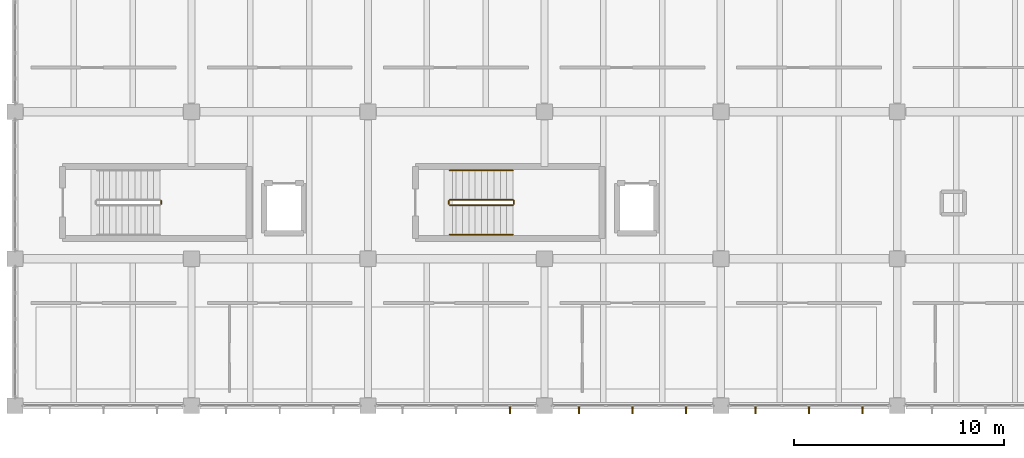
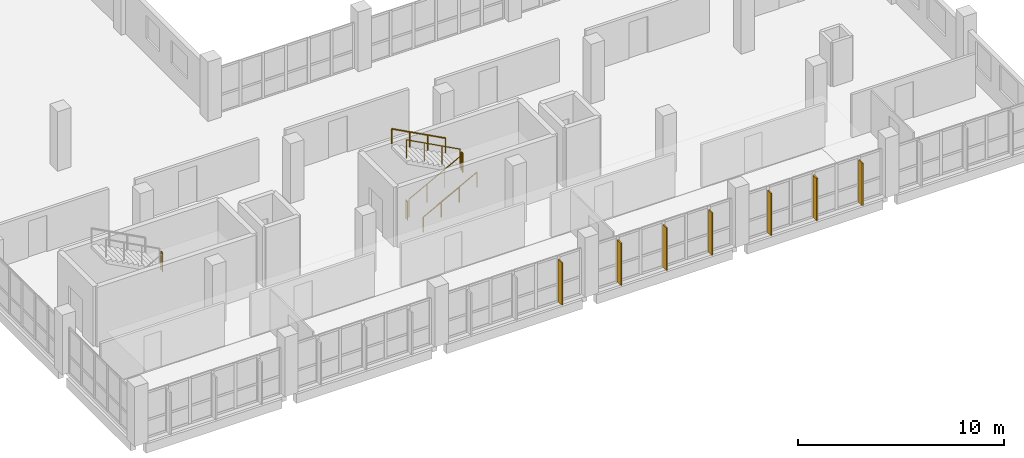
# One storey, part 88 of 95: 7 railings, 7 shading devices.
"""IFC4 building model written with IfcOpenShell, lengths in metres."""

from ifc_helpers import new_model, si_unit, direction, frame, origin, origin_2d, place, context, subcontext, project, spatial, rectangle, circle, extrude, material, type_object, element, save


model = new_model("IFC4")

# Units and contexts
model_context = context("Model", 3, precision=1e-05, world=origin(), true_north=direction((0.0, 1.0)))
body_context = subcontext(model_context, "Body", "Model", "MODEL_VIEW")
ifc_project = project(units=[si_unit("LENGTHUNIT", "METRE"), si_unit("AREAUNIT", "SQUARE_METRE"), si_unit("VOLUMEUNIT", "CUBIC_METRE"), si_unit("PLANEANGLEUNIT", "RADIAN"), si_unit("MASSUNIT", "GRAM", prefix="KILO"), si_unit("THERMODYNAMICTEMPERATUREUNIT", "KELVIN"), si_unit("POWERUNIT", "WATT")], contexts=[model_context])

# Site, building, storey
site_placement = place(None, origin())
site = spatial("IfcSite", under=ifc_project, at=site_placement, CompositionType="ELEMENT")
building_placement = place(site_placement, origin())
building = spatial("IfcBuilding", under=site, at=building_placement, Name="Mavoryth Pier Ferry Terminal", CompositionType="ELEMENT")
storey_placement = place(building_placement, frame((0.0, 0.0, 9.60009765625)))
storey = spatial("IfcBuildingStorey", under=building, at=storey_placement, Name="L02", CompositionType="ELEMENT", Elevation=9.60009765625)

# Shading devices
ifc_material_1 = material(Name="Anodised Aluminium Solar-Shading Fin", Category="aluminium")
shading_device_type = type_object("IfcShadingDeviceType", Name="Fin-BriseSoleil-350x70x2500", PredefinedType="SHUTTER", material=ifc_material_1)
for number, where, z_axis, x_axis, name in (
    (1, (65.550048828125, -0.198974609375, 0.0), (0.0, 0.0, 1.0), (1.0, 0.0, 0.0), "Solar Shading Fin 108"),
    (2, (68.85009765625, -0.198974609375, 0.0), (0.0, 0.0, 1.0), (1.0, 0.0, 0.0), "Solar Shading Fin 109"),
    (3, (71.39990234375, -0.198974609375, 0.0), (0.0, 0.0, 1.0), (1.0, 0.0, 0.0), "Solar Shading Fin 110"),
    (4, (73.949951171875, -0.198974609375, 0.0), (0.0, 0.0, 1.0), (1.0, 0.0, 0.0), "Solar Shading Fin 111"),
    (5, (77.25, -0.198974609375, 0.0), (0.0, 0.0, 1.0), (1.0, 0.0, 0.0), "Solar Shading Fin 112"),
    (6, (79.800048828125, -0.198974609375, 0.0), (0.0, 0.0, 1.0), (1.0, 0.0, 0.0), "Solar Shading Fin 113"),
    (7, (82.35009765625, -0.198974609375, 0.0), (0.0, 0.0, 1.0), (1.0, 0.0, 0.0), "Solar Shading Fin 114"),
):
    element("IfcShadingDevice", number, at=place(storey_placement, frame(where, z_axis=z_axis, x_axis=x_axis)), inside=storey, type_object=shading_device_type, Name=name, PredefinedType="SHUTTER", context=body_context, shape_type="SweptSolid", body=[
        extrude(rectangle(XDim=0.070068359375, YDim=0.35009765625, at=origin_2d()), origin(), (0.0, 0.0, 1.0), 2.5),
    ])

# Railings
ifc_material_2 = material(Name="Painted Galvanised Steel Balustrade", Category="steel")
railing_type_1 = type_object("IfcRailingType", Name="Guard-Stair-Steel1100", PredefinedType="GUARDRAIL", material=ifc_material_2)
railing_1_placement = place(storey_placement, frame((48.949951171875, 9.60009765625, 1.760009765625)))
element("IfcRailing", 8, at=railing_1_placement, inside=storey, type_object=railing_type_1, Name="L02 ST11 stair guard 2", PredefinedType="GUARDRAIL", context=body_context, shape_type="SweptSolid", body=[
    extrude(circle(Radius=0.02392578125, at=origin_2d()), frame((0.0, 0.0, 1.076171875), z_axis=(0.0, 1.0, 0.0), x_axis=(-1.0, 0.0, 0.0)), (0.0, 0.0, 1.0), 0.14990234375),
    extrude(circle(Radius=0.02099609375, at=origin_2d()), origin(), (0.0, 0.0, 1.0), 1.052001953125),
    extrude(circle(Radius=0.02099609375, at=origin_2d()), frame((0.0, 0.14990234375, 0.0)), (0.0, 0.0, 1.0), 1.052001953125),
])
railing_2_placement = place(storey_placement, frame((62.699951171875, 9.550048828125, 0.159912109375)))
element("IfcRailing", 9, at=railing_2_placement, inside=storey, type_object=railing_type_1, Name="L02 ST12 stair guard 1", PredefinedType="GUARDRAIL", context=body_context, shape_type="SweptSolid", body=[
    extrude(circle(Radius=0.02392578125, at=origin_2d()), frame((0.0, 0.0, 1.076171875), z_axis=(0.882341014787, 0.0, 0.470610596591), x_axis=(0.0, 1.0, 0.0)), (0.0, 0.0, 1.0), 3.400146484375),
    extrude(circle(Radius=0.02099609375, at=origin_2d()), origin(), (0.0, 0.0, 1.0), 1.052001953125),
    extrude(circle(Radius=0.02099609375, at=origin_2d()), frame((1.0, 0.0, 0.533447265625)), (0.0, 0.0, 1.0), 1.052001953125),
    extrude(circle(Radius=0.02099609375, at=origin_2d()), frame((2.0, 0.0, 1.066650390625)), (0.0, 0.0, 1.0), 1.052001953125),
    extrude(circle(Radius=0.02099609375, at=origin_2d()), frame((3.0, 0.0, 1.60009765625)), (0.0, 0.0, 1.0), 1.052001953125),
])
railing_3_placement = place(storey_placement, frame((65.75, 9.60009765625, 1.760009765625)))
element("IfcRailing", 10, at=railing_3_placement, inside=storey, type_object=railing_type_1, Name="L02 ST12 stair guard 2", PredefinedType="GUARDRAIL", context=body_context, shape_type="SweptSolid", body=[
    extrude(circle(Radius=0.02392578125, at=origin_2d()), frame((0.0, 0.0, 1.076171875), z_axis=(0.0, 1.0, 0.0), x_axis=(-1.0, 0.0, 0.0)), (0.0, 0.0, 1.0), 0.14990234375),
    extrude(circle(Radius=0.02099609375, at=origin_2d()), origin(), (0.0, 0.0, 1.0), 1.052001953125),
    extrude(circle(Radius=0.02099609375, at=origin_2d()), frame((0.0, 0.14990234375, 0.0)), (0.0, 0.0, 1.0), 1.052001953125),
])
railing_4_placement = place(storey_placement, frame((65.699951171875, 9.800048828125, 1.919921875)))
element("IfcRailing", 11, at=railing_4_placement, inside=storey, type_object=railing_type_1, Name="L02 ST12 stair guard 3", PredefinedType="GUARDRAIL", context=body_context, shape_type="SweptSolid", body=[
    extrude(circle(Radius=0.02392578125, at=origin_2d()), frame((0.0, 0.0, 1.076171875), z_axis=(-0.882341014787, 0.0, 0.470610596591), x_axis=(0.0, -1.0, 0.0)), (0.0, 0.0, 1.0), 3.400146484375),
    extrude(circle(Radius=0.02099609375, at=origin_2d()), origin(), (0.0, 0.0, 1.0), 1.052001953125),
    extrude(circle(Radius=0.02099609375, at=origin_2d()), frame((-1.0, 0.0, 0.533447265625)), (0.0, 0.0, 1.0), 1.052001953125),
    extrude(circle(Radius=0.02099609375, at=origin_2d()), frame((-2.0, 0.0, 1.066650390625)), (0.0, 0.0, 1.0), 1.052001953125),
    extrude(circle(Radius=0.02099609375, at=origin_2d()), frame((-3.0, 0.0, 1.60009765625)), (0.0, 0.0, 1.0), 1.052001953125),
])
railing_5_placement = place(storey_placement, frame((62.64990234375, 9.60009765625, 0.0)))
element("IfcRailing", 12, at=railing_5_placement, inside=storey, type_object=railing_type_1, Name="L02 ST12 stair guard 4", PredefinedType="GUARDRAIL", context=body_context, shape_type="SweptSolid", body=[
    extrude(circle(Radius=0.02392578125, at=origin_2d()), frame((0.0, 0.0, 1.076171875), z_axis=(0.0, 1.0, 0.0), x_axis=(-1.0, 0.0, 0.0)), (0.0, 0.0, 1.0), 0.14990234375),
    extrude(circle(Radius=0.02099609375, at=origin_2d()), origin(), (0.0, 0.0, 1.0), 1.052001953125),
    extrude(circle(Radius=0.02099609375, at=origin_2d()), frame((0.0, 0.14990234375, 0.0)), (0.0, 0.0, 1.0), 1.052001953125),
])
ifc_material_3 = material(Name="Brushed Stainless Steel Tubular Handrail", Category="steel")
railing_type_2 = type_object("IfcRailingType", Name="Handrail-Stair-SS900", PredefinedType="HANDRAIL", material=ifc_material_3)
railing_6_placement = place(storey_placement, frame((62.699951171875, 8.14990234375, 0.159912109375)))
element("IfcRailing", 13, at=railing_6_placement, inside=storey, type_object=railing_type_2, Name="L02 ST12 stair handrail 1", PredefinedType="HANDRAIL", context=body_context, shape_type="SweptSolid", body=[
    extrude(circle(Radius=0.02392578125, at=origin_2d()), frame((0.0, 0.0, 0.8759765625), z_axis=(0.882341014787, 0.0, 0.470610596591), x_axis=(0.0, 1.0, 0.0)), (0.0, 0.0, 1.0), 3.400146484375),
    extrude(circle(Radius=0.02099609375, at=origin_2d()), origin(), (0.0, 0.0, 1.0), 0.851806640625),
    extrude(circle(Radius=0.02099609375, at=origin_2d()), frame((1.0, 0.0, 0.533447265625)), (0.0, 0.0, 1.0), 0.851806640625),
    extrude(circle(Radius=0.02099609375, at=origin_2d()), frame((2.0, 0.0, 1.066650390625)), (0.0, 0.0, 1.0), 0.851806640625),
    extrude(circle(Radius=0.02099609375, at=origin_2d()), frame((3.0, 0.0, 1.60009765625)), (0.0, 0.0, 1.0), 0.851806640625),
])
railing_7_placement = place(storey_placement, frame((65.699951171875, 11.199951171875, 1.919921875)))
element("IfcRailing", 14, at=railing_7_placement, inside=storey, type_object=railing_type_2, Name="L02 ST12 stair handrail 2", PredefinedType="HANDRAIL", context=body_context, shape_type="SweptSolid", body=[
    extrude(circle(Radius=0.02392578125, at=origin_2d()), frame((0.0, 0.0, 0.8759765625), z_axis=(-0.882341014787, 0.0, 0.470610596591), x_axis=(0.0, -1.0, 0.0)), (0.0, 0.0, 1.0), 3.400146484375),
    extrude(circle(Radius=0.02099609375, at=origin_2d()), origin(), (0.0, 0.0, 1.0), 0.851806640625),
    extrude(circle(Radius=0.02099609375, at=origin_2d()), frame((-1.0, 0.0, 0.533447265625)), (0.0, 0.0, 1.0), 0.851806640625),
    extrude(circle(Radius=0.02099609375, at=origin_2d()), frame((-2.0, 0.0, 1.066650390625)), (0.0, 0.0, 1.0), 0.851806640625),
    extrude(circle(Radius=0.02099609375, at=origin_2d()), frame((-3.0, 0.0, 1.60009765625)), (0.0, 0.0, 1.0), 0.851806640625),
])

save(model, "model.ifc")
